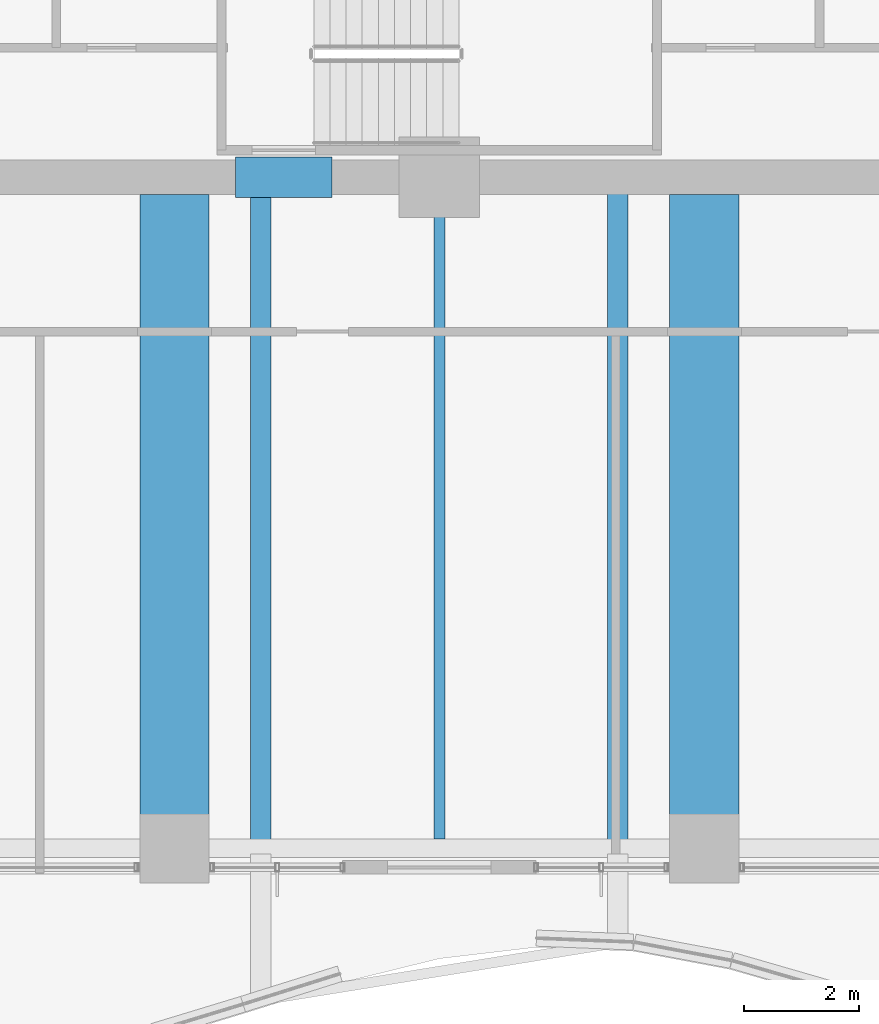
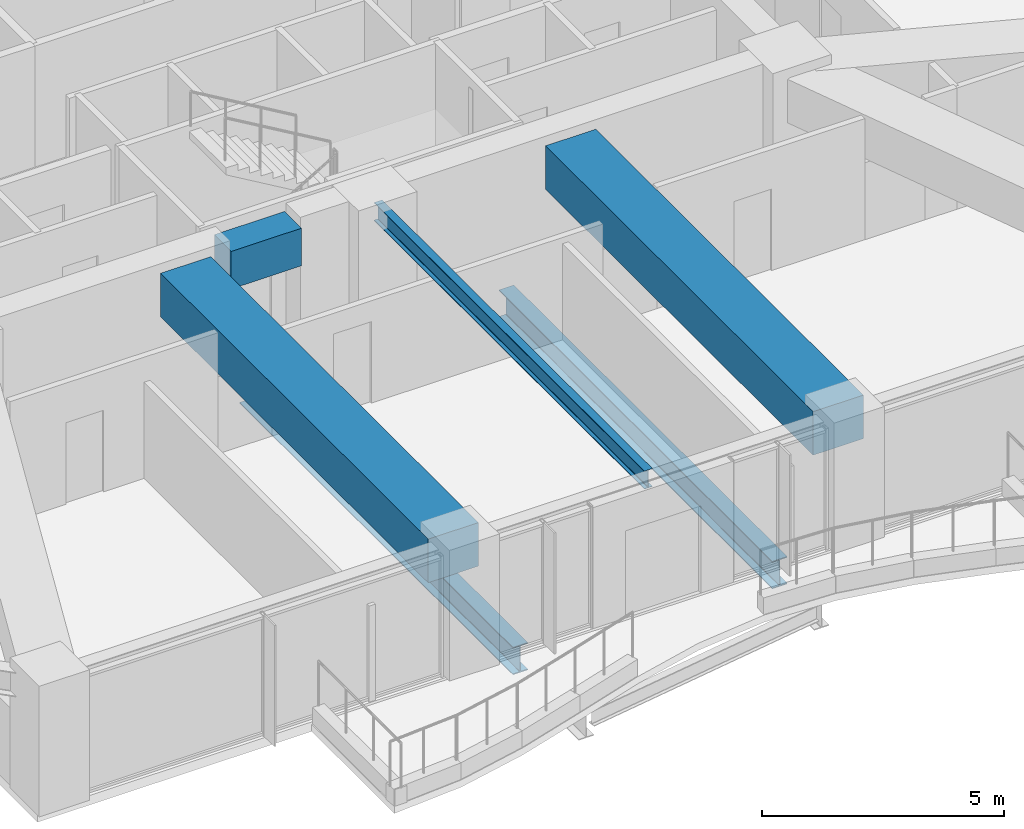
# One storey, part 7 of 37: 6 beams.
"""IFC4 building model written with IfcOpenShell, lengths in metres."""

from ifc_helpers import new_model, si_unit, direction, frame, origin, origin_2d, place, context, subcontext, project, spatial, rectangle, i_section, extrude, material, material_profile, profile_set, type_object, element, save


model = new_model("IFC4")

# Units and contexts
model_context = context("Model", 3, precision=1e-05, world=origin(), true_north=direction((0.0, 1.0)))
body_context = subcontext(model_context, "Body", "Model", "MODEL_VIEW")
ifc_project = project(units=[si_unit("LENGTHUNIT", "METRE"), si_unit("AREAUNIT", "SQUARE_METRE"), si_unit("VOLUMEUNIT", "CUBIC_METRE"), si_unit("PLANEANGLEUNIT", "RADIAN"), si_unit("MASSUNIT", "GRAM", prefix="KILO")], contexts=[model_context])

# Site, building, storey
site_placement = place(None, origin())
site = spatial("IfcSite", under=ifc_project, at=site_placement, CompositionType="ELEMENT")
building_placement = place(site_placement, origin())
building = spatial("IfcBuilding", under=site, at=building_placement, Name="Kolvaren Belvedere", CompositionType="ELEMENT")
storey_placement = place(building_placement, frame((0.0, 0.0, 37.0)))
storey = spatial("IfcBuildingStorey", under=building, at=storey_placement, Name="L10", CompositionType="ELEMENT", Elevation=37.0)

# Beams
ifc_material_1 = material(Name="Structural steel ASTM A992 Grade 50", Category="steel")
ifc_material_profile_1 = material_profile(ifc_material_1, i_section(OverallWidth=0.35498046875, OverallDepth=0.696044921875, WebThickness=0.015380859375, FlangeThickness=0.02490234375, FilletRadius=0.02197265625, at=origin_2d()), Name="W27X146")
ifc_profile_set_1 = profile_set([ifc_material_profile_1], Name="Structural steel ASTM A992 Grade 50")
beam_type_1 = type_object("IfcBeamType", Name="BM-GIRD-W27X146", PredefinedType="BEAM", material=ifc_profile_set_1)
for number, where, z_axis, x_axis, name in (
    (1, (-3.10009765625, -10.139892578125, -0.587890625), (0.0, -1.0, 0.0), (1.0, 0.0, 0.0), "L10 Balcony Interior Back-Span Girder BAL-S-1"),
    (2, (3.10009765625, -10.139892578125, -0.587890625), (0.0, -1.0, 0.0), (1.0, 0.0, 0.0), "L10 Balcony Interior Back-Span Girder BAL-S-2"),
):
    element("IfcBeam", number, at=place(storey_placement, frame(where, z_axis=z_axis, x_axis=x_axis)), inside=storey, type_object=beam_type_1, Name=name, PredefinedType="BEAM", context=body_context, shape_type="SweptSolid", body=[
        extrude(i_section(OverallWidth=0.35498046875, OverallDepth=0.696044921875, WebThickness=0.015380859375, FlangeThickness=0.02490234375, FilletRadius=0.02197265625, at=origin_2d()), origin(), (0.0, 0.0, 1.0), 11.315185546875),
    ])
ifc_material_2 = material(Name="Structural steel ASTM A992 Grade 50", Category="steel")
ifc_material_profile_2 = material_profile(ifc_material_2, i_section(OverallWidth=0.19091796875, OverallDepth=0.4599609375, WebThickness=0.010009765625, FlangeThickness=0.01611328125, FilletRadius=0.014892578125, at=origin_2d()), Name="W18X55")
ifc_profile_set_2 = profile_set([ifc_material_profile_2], Name="Structural steel ASTM A992 Grade 50")
beam_type_2 = type_object("IfcBeamType", Name="BM-JOIST-W18X55", PredefinedType="BEAM", material=ifc_profile_set_2)
beam_1_placement = place(storey_placement, frame((0.0, -10.199951171875, 2.830078125), z_axis=(0.0, -1.0, 0.0), x_axis=(1.0, 0.0, 0.0)))
element("IfcBeam", 3, at=beam_1_placement, inside=storey, type_object=beam_type_2, Name="L10 South Centre Floor Beam", PredefinedType="BEAM", context=body_context, shape_type="SweptSolid", body=[
    extrude(i_section(OverallWidth=0.19091796875, OverallDepth=0.4599609375, WebThickness=0.010009765625, FlangeThickness=0.01611328125, FilletRadius=0.014892578125, at=origin_2d()), origin(), (0.0, 0.0, 1.0), 11.1875),
])
ifc_material_3 = material(Name="Concrete C60/75", Category="concrete")
ifc_material_profile_3 = material_profile(ifc_material_3, rectangle(XDim=0.699951171875, YDim=0.949951171875, at=origin_2d()), Name="RC 700X950")
ifc_profile_set_3 = profile_set([ifc_material_profile_3], Name="Concrete C60/75")
beam_type_3 = type_object("IfcBeamType", Name="BM-LINT-950", PredefinedType="LINTEL", material=ifc_profile_set_3)
beam_2_placement = place(storey_placement, frame((-3.5400390625, -9.89990234375, 2.5849609375), z_axis=(1.0, 0.0, 0.0), x_axis=(0.0, 1.0, 0.0)))
element("IfcBeam", 4, at=beam_2_placement, inside=storey, type_object=beam_type_3, Name="L10 South Core Coupling Lintel", PredefinedType="LINTEL", context=body_context, shape_type="SweptSolid", body=[
    extrude(rectangle(XDim=0.699951171875, YDim=0.949951171875, at=origin_2d()), origin(), (0.0, 0.0, 1.0), 1.679931640625),
])
ifc_material_4 = material(Name="Concrete C50/60", Category="concrete")
ifc_material_profile_4 = material_profile(ifc_material_4, rectangle(XDim=1.199951171875, YDim=1.10009765625, at=origin_2d()), Name="RC 1200X1100")
ifc_profile_set_4 = profile_set([ifc_material_profile_4], Name="Concrete C50/60")
beam_type_4 = type_object("IfcBeamType", Name="BM-TG-1100", PredefinedType="BEAM", material=ifc_profile_set_4)
for number, where, z_axis, x_axis, name in (
    (5, (4.60009765625, -10.199951171875, 2.510009765625), (0.0, -1.0, 0.0), (1.0, 0.0, 0.0), "L10 South Radial Girder P"),
    (6, (-4.60009765625, -10.199951171875, 2.510009765625), (0.0, -1.0, 0.0), (1.0, 0.0, 0.0), "L10 South Radial Girder M"),
):
    element("IfcBeam", number, at=place(storey_placement, frame(where, z_axis=z_axis, x_axis=x_axis)), inside=storey, type_object=beam_type_4, Name=name, PredefinedType="BEAM", context=body_context, shape_type="SweptSolid", body=[
        extrude(rectangle(XDim=1.199951171875, YDim=1.10009765625, at=origin_2d()), origin(), (0.0, 0.0, 1.0), 11.080078125),
    ])

save(model, "model.ifc")
